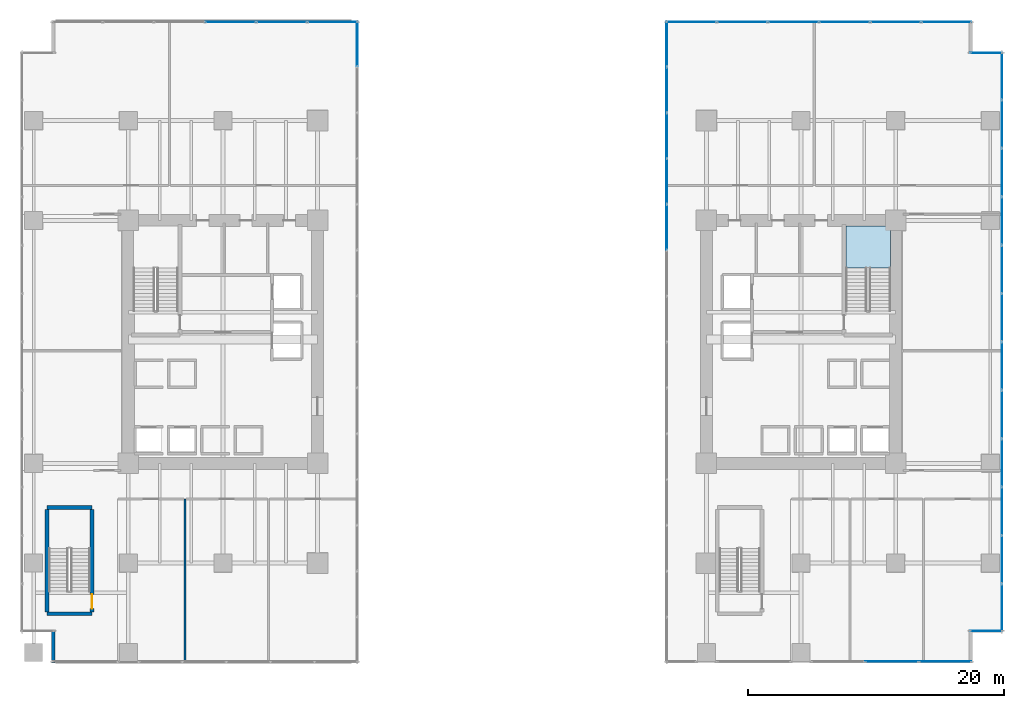
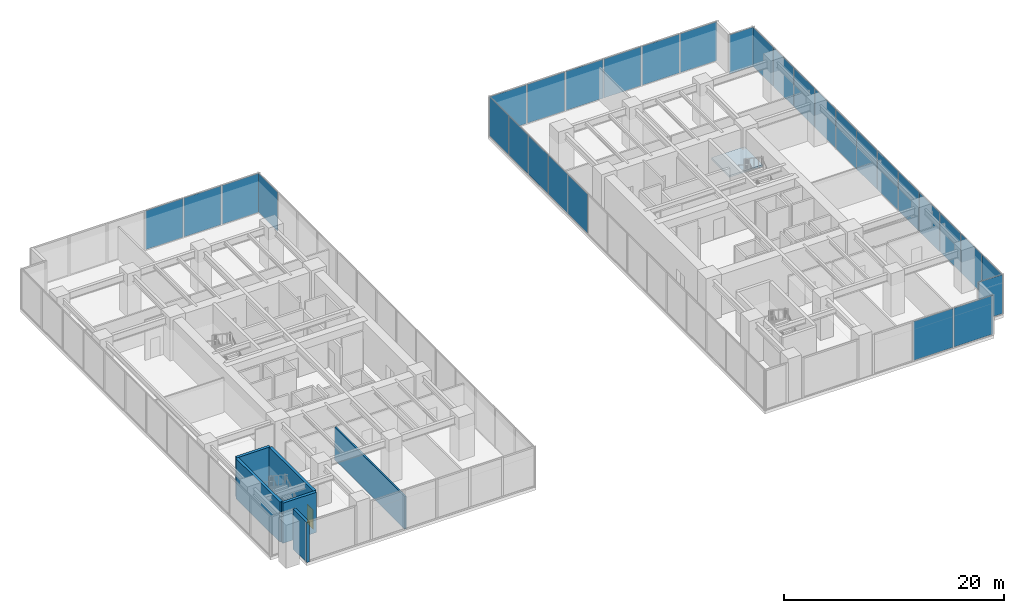
# One storey, part 24 of 33: 31 plates, 6 walls, 1 door, 1 slab, 1 opening, 9 elements without a shape of their own.
"""IFC4 building model written with IfcOpenShell, lengths in metres."""

from ifc_helpers import new_model, si_unit, direction, frame, frame_2d, origin, origin_2d, place, context, subcontext, project, spatial, polyline, rectangle, outline, extrude, source, transform, mapped, material, layer, layer_set, type_object, type_shapes, element, fill, aggregate, save


model = new_model("IFC4")

# Units and contexts
model_context = context("Model", 3, precision=1e-05, world=origin(), true_north=direction((0.0, 1.0)))
body_context = subcontext(model_context, "Body", "Model", "MODEL_VIEW")
ifc_project = project(units=[si_unit("LENGTHUNIT", "METRE"), si_unit("AREAUNIT", "SQUARE_METRE"), si_unit("VOLUMEUNIT", "CUBIC_METRE"), si_unit("PLANEANGLEUNIT", "RADIAN"), si_unit("MASSUNIT", "GRAM", prefix="KILO")], contexts=[model_context])

# Site, building, storey
site_placement = place(None, origin())
site = spatial("IfcSite", under=ifc_project, at=site_placement, CompositionType="ELEMENT")
building_placement = place(site_placement, origin())
building = spatial("IfcBuilding", under=site, at=building_placement, Name="Haelvirn Gate Laboratories", CompositionType="ELEMENT")
storey_placement = place(building_placement, frame((0.0, 0.0, 10.199951171875)))
storey = spatial("IfcBuildingStorey", under=building, at=storey_placement, Name="L03", CompositionType="ELEMENT", Elevation=10.199951171875)

# Stair, slab
ifc_material_1 = material(Name="Concrete C40/50", Category="concrete")
stair_type = type_object("IfcStairType", Name="ST-DOG-1650-R26", PredefinedType="HALF_TURN_STAIR", material=ifc_material_1)
stair_placement = place(storey_placement, origin())
stair = element("IfcStair", 1, at=stair_placement, inside=storey, type_object=stair_type, Name="L03 Escape Stair ST2", PredefinedType="HALF_TURN_STAIR")
ifc_layer_1 = layer(ifc_material_1, 0.199951171875, Name="SL-STAIR-LND")
ifc_layer_set_1 = layer_set([ifc_layer_1], Name="Concrete C40/50")
slab_type = type_object("IfcSlabType", Name="SL-STAIR-LND", PredefinedType="LANDING", material=ifc_layer_set_1)
slab_placement = place(storey_placement, frame((0.0, 0.0, 2.199951171875)))
slab = element("IfcSlab", 2, at=slab_placement, type_object=slab_type, Name="ST2 landing 1", PredefinedType="LANDING", context=body_context, shape_type="SweptSolid", body=[
    extrude(outline(polyline([(67.0, 30.06005859375), (67.0, 33.35009765625), (63.5, 33.35009765625), (63.5, 30.06005859375), (67.0, 30.06005859375)])), origin(), (0.0, 0.0, 1.0), 0.2001953125),
])
aggregate(stair, [slab])

# Curtain wall, plate
ifc_material_2 = material(Name="Anodised bronze unitised aluminium & triple low-E glass", Category="aluminium")
ifc_layer_2 = layer(ifc_material_2, 0.18798828125, Name="CW-SYS-1")
ifc_layer_set_2 = layer_set([ifc_layer_2], Name="Anodised bronze unitised aluminium & triple low-E glass")
curtain_wall_type_1 = type_object("IfcCurtainWallType", Name="CW-SYS-1", PredefinedType="NOTDEFINED", material=ifc_layer_set_2)
curtain_wall_1_placement = place(storey_placement, origin())
curtain_wall_1 = element("IfcCurtainWall", 3, at=curtain_wall_1_placement, inside=storey, type_object=curtain_wall_type_1, Name="L03 Unitised Curtain Wall CW-L03-P0-E01", PredefinedType="NOTDEFINED")
ifc_material_3 = material(Name="Bronze solar-control triple low-E IGU 48 mm", Category="glass")
ifc_layer_3 = layer(ifc_material_3, 0.048095703125, Name="CWP-IGU-48")
ifc_layer_set_3 = layer_set([ifc_layer_3], Name="Bronze solar-control triple low-E IGU 48 mm")
plate_type_1 = type_object("IfcPlateType", Name="CWP-IGU-48", PredefinedType="CURTAIN_PANEL", material=ifc_layer_set_3)
shared_shape_1 = source(origin(), body_context, "Body", "SweptSolid", [
    extrude(rectangle(XDim=3.4658203125, YDim=0.048095703125, at=origin_2d()), origin(), (0.0, 0.0, 1.0), 4.31005859375),
])
plate_1_placement = place(storey_placement, frame((25.300048828125, 47.587158203125, 0.070068359375), z_axis=(0.0, 0.0, 1.0), x_axis=(0.0, 1.0, 0.0)))
plate_1 = element("IfcPlate", 4, at=plate_1_placement, type_object=plate_type_1, Name="CW1 panel 14.1", PredefinedType="CURTAIN_PANEL", context=body_context, shape_type="MappedRepresentation", body=[
    mapped(shared_shape_1, transform((0.0, 0.0, 0.0), scale=1.0)),
])
aggregate(curtain_wall_1, [plate_1])

# Curtain wall, plates
curtain_wall_2_placement = place(storey_placement, origin())
curtain_wall_2 = element("IfcCurtainWall", 5, at=curtain_wall_2_placement, inside=storey, type_object=curtain_wall_type_1, Name="L03 Unitised Curtain Wall CW-L03-P1-E07", PredefinedType="NOTDEFINED")
plate_2_placement = place(storey_placement, frame((49.5, 47.587158203125, 0.070068359375), z_axis=(0.0, 0.0, 1.0), x_axis=(0.0, -1.0, 0.0)))
plate_2 = element("IfcPlate", 6, at=plate_2_placement, type_object=plate_type_1, Name="CW1 panel 1.1", PredefinedType="CURTAIN_PANEL", context=body_context, shape_type="MappedRepresentation", body=[
    mapped(shared_shape_1, transform((0.0, 0.0, 0.0), scale=1.0)),
])
shared_shape_2 = source(origin(), body_context, "Body", "SweptSolid", [
    extrude(rectangle(XDim=3.505615234375, YDim=0.048095703125, at=origin_2d()), origin(), (0.0, 0.0, 1.0), 4.31005859375),
])
plate_3_placement = place(storey_placement, frame((49.5, 44.021484375, 0.070068359375), z_axis=(0.0, 0.0, 1.0), x_axis=(0.0, -1.0, 0.0)))
plate_3 = element("IfcPlate", 7, at=plate_3_placement, type_object=plate_type_1, Name="CW1 panel 2.1", PredefinedType="CURTAIN_PANEL", context=body_context, shape_type="MappedRepresentation", body=[
    mapped(shared_shape_2, transform((0.0, 0.0, 0.0), scale=1.0)),
])
plate_4_placement = place(storey_placement, frame((49.5, 40.435791015625, 0.070068359375), z_axis=(0.0, 0.0, 1.0), x_axis=(0.0, -1.0, 0.0)))
plate_4 = element("IfcPlate", 8, at=plate_4_placement, type_object=plate_type_1, Name="CW1 panel 3.1", PredefinedType="CURTAIN_PANEL", context=body_context, shape_type="MappedRepresentation", body=[
    mapped(shared_shape_2, transform((0.0, 0.0, 0.0), scale=1.0)),
])
plate_5_placement = place(storey_placement, frame((49.5, 36.85009765625, 0.070068359375), z_axis=(0.0, 0.0, 1.0), x_axis=(0.0, -1.0, 0.0)))
plate_5 = element("IfcPlate", 9, at=plate_5_placement, type_object=plate_type_1, Name="CW1 panel 4.1", PredefinedType="CURTAIN_PANEL", context=body_context, shape_type="MappedRepresentation", body=[
    mapped(shared_shape_2, transform((0.0, 0.0, 0.0), scale=1.0)),
])
plate_6_placement = place(storey_placement, frame((49.5, 33.264404296875, 0.070068359375), z_axis=(0.0, 0.0, 1.0), x_axis=(0.0, -1.0, 0.0)))
plate_6 = element("IfcPlate", 10, at=plate_6_placement, type_object=plate_type_1, Name="CW1 panel 5.1", PredefinedType="CURTAIN_PANEL", context=body_context, shape_type="MappedRepresentation", body=[
    mapped(shared_shape_2, transform((0.0, 0.0, 0.0), scale=1.0)),
])
aggregate(curtain_wall_2, [plate_2, plate_3, plate_4, plate_5, plate_6])

# Curtain wall, plate
curtain_wall_3_placement = place(storey_placement, origin())
curtain_wall_3 = element("IfcCurtainWall", 11, at=curtain_wall_3_placement, inside=storey, type_object=curtain_wall_type_1, Name="L03 Unitised Curtain Wall CW-L03-P0-E02-1", PredefinedType="NOTDEFINED")
shared_shape_3 = source(origin(), body_context, "Body", "SweptSolid", [
    extrude(rectangle(XDim=3.8798828125, YDim=0.048095703125, at=origin_2d()), origin(), (0.0, 0.0, 1.0), 4.31005859375),
])
plate_7_placement = place(storey_placement, frame((23.3798828125, 49.300048828125, 0.070068359375), z_axis=(0.0, 0.0, 1.0), x_axis=(1.0, 0.0, 0.0)))
plate_7 = element("IfcPlate", 12, at=plate_7_placement, type_object=plate_type_1, Name="CW1 panel 6.1", PredefinedType="CURTAIN_PANEL", context=body_context, shape_type="MappedRepresentation", body=[
    mapped(shared_shape_3, transform((0.0, 0.0, 0.0), scale=1.0)),
])

# Curtain wall, plates
curtain_wall_4_placement = place(storey_placement, origin())
curtain_wall_4 = element("IfcCurtainWall", 13, at=curtain_wall_4_placement, inside=storey, type_object=curtain_wall_type_1, Name="L03 Unitised Curtain Wall CW-L03-P1-E06-1", PredefinedType="NOTDEFINED")
plate_8_placement = place(storey_placement, frame((51.419921875, 49.300048828125, 0.070068359375), z_axis=(0.0, 0.0, 1.0), x_axis=(1.0, 0.0, 0.0)))
plate_8 = element("IfcPlate", 14, at=plate_8_placement, type_object=plate_type_1, Name="CW1 panel 1.1", PredefinedType="CURTAIN_PANEL", context=body_context, shape_type="MappedRepresentation", body=[
    mapped(shared_shape_3, transform((0.0, 0.0, 0.0), scale=1.0)),
])
plate_9_placement = place(storey_placement, frame((71.3798828125, 49.300048828125, 0.070068359375), z_axis=(0.0, 0.0, 1.0), x_axis=(1.0, 0.0, 0.0)))
plate_9 = element("IfcPlate", 15, at=plate_9_placement, type_object=plate_type_1, Name="CW1 panel 6.1", PredefinedType="CURTAIN_PANEL", context=body_context, shape_type="MappedRepresentation", body=[
    mapped(shared_shape_3, transform((0.0, 0.0, 0.0), scale=1.0)),
])

# Plate
shared_shape_4 = source(origin(), body_context, "Body", "SweptSolid", [
    extrude(rectangle(XDim=3.919921875, YDim=0.048095703125, at=origin_2d()), origin(), (0.0, 0.0, 1.0), 4.31005859375),
])
plate_10_placement = place(storey_placement, frame((15.39990234375, 49.300048828125, 0.070068359375), z_axis=(0.0, 0.0, 1.0), x_axis=(1.0, 0.0, 0.0)))
plate_10 = element("IfcPlate", 16, at=plate_10_placement, type_object=plate_type_1, Name="CW1 panel 4.1", PredefinedType="CURTAIN_PANEL", context=body_context, shape_type="MappedRepresentation", body=[
    mapped(shared_shape_4, transform((0.0, 0.0, 0.0), scale=1.0)),
])

plate_11_placement = place(storey_placement, frame((19.39990234375, 49.300048828125, 0.070068359375), z_axis=(0.0, 0.0, 1.0), x_axis=(1.0, 0.0, 0.0)))
plate_11 = element("IfcPlate", 17, at=plate_11_placement, type_object=plate_type_1, Name="CW1 panel 5.1", PredefinedType="CURTAIN_PANEL", context=body_context, shape_type="MappedRepresentation", body=[
    mapped(shared_shape_4, transform((0.0, 0.0, 0.0), scale=1.0)),
])

aggregate(curtain_wall_3, [plate_10, plate_11, plate_7])

plate_12_placement = place(storey_placement, frame((55.39990234375, 49.300048828125, 0.070068359375), z_axis=(0.0, 0.0, 1.0), x_axis=(1.0, 0.0, 0.0)))
plate_12 = element("IfcPlate", 18, at=plate_12_placement, type_object=plate_type_1, Name="CW1 panel 2.1", PredefinedType="CURTAIN_PANEL", context=body_context, shape_type="MappedRepresentation", body=[
    mapped(shared_shape_4, transform((0.0, 0.0, 0.0), scale=1.0)),
])

plate_13_placement = place(storey_placement, frame((59.39990234375, 49.300048828125, 0.070068359375), z_axis=(0.0, 0.0, 1.0), x_axis=(1.0, 0.0, 0.0)))
plate_13 = element("IfcPlate", 19, at=plate_13_placement, type_object=plate_type_1, Name="CW1 panel 3.1", PredefinedType="CURTAIN_PANEL", context=body_context, shape_type="MappedRepresentation", body=[
    mapped(shared_shape_4, transform((0.0, 0.0, 0.0), scale=1.0)),
])

plate_14_placement = place(storey_placement, frame((63.39990234375, 49.300048828125, 0.070068359375), z_axis=(0.0, 0.0, 1.0), x_axis=(1.0, 0.0, 0.0)))
plate_14 = element("IfcPlate", 20, at=plate_14_placement, type_object=plate_type_1, Name="CW1 panel 4.1", PredefinedType="CURTAIN_PANEL", context=body_context, shape_type="MappedRepresentation", body=[
    mapped(shared_shape_4, transform((0.0, 0.0, 0.0), scale=1.0)),
])

plate_15_placement = place(storey_placement, frame((67.39990234375, 49.300048828125, 0.070068359375), z_axis=(0.0, 0.0, 1.0), x_axis=(1.0, 0.0, 0.0)))
plate_15 = element("IfcPlate", 21, at=plate_15_placement, type_object=plate_type_1, Name="CW1 panel 5.1", PredefinedType="CURTAIN_PANEL", context=body_context, shape_type="MappedRepresentation", body=[
    mapped(shared_shape_4, transform((0.0, 0.0, 0.0), scale=1.0)),
])

aggregate(curtain_wall_4, [plate_8, plate_12, plate_13, plate_14, plate_15, plate_9])

# Curtain wall, plate
ifc_layer_4 = layer(ifc_material_2, 0.181884765625, Name="CW-SYS-5")
ifc_layer_set_4 = layer_set([ifc_layer_4], Name="Anodised bronze unitised aluminium & triple low-E glass")
curtain_wall_type_2 = type_object("IfcCurtainWallType", Name="CW-SYS-5", PredefinedType="NOTDEFINED", material=ifc_layer_set_4)
curtain_wall_5_placement = place(storey_placement, origin())
curtain_wall_5 = element("IfcCurtainWall", 22, at=curtain_wall_5_placement, inside=storey, type_object=curtain_wall_type_2, Name="L03 Unitised Curtain Wall CW-L03-P1-E02-1", PredefinedType="NOTDEFINED")
ifc_material_4 = material(Name="Clear low-iron notched-corner triple IGU 42 mm", Category="glass")
ifc_layer_5 = layer(ifc_material_4, 0.0419921875, Name="CWP-NTC-42")
ifc_layer_set_5 = layer_set([ifc_layer_5], Name="Clear low-iron notched-corner triple IGU 42 mm")
plate_type_2 = type_object("IfcPlateType", Name="CWP-NTC-42", PredefinedType="CURTAIN_PANEL", material=ifc_layer_set_5)
shared_shape_5 = source(origin(), body_context, "Body", "SweptSolid", [
    extrude(rectangle(XDim=2.47998046875, YDim=0.0419921875, at=origin_2d()), origin(), (0.0, 0.0, 1.0), 4.320068359375),
])
type_shapes(plate_type_2, [shared_shape_5])
plate_16_placement = place(storey_placement, frame((74.47998046875, 1.699951171875, 0.06494140625), z_axis=(0.0, 0.0, 1.0), x_axis=(1.0, 0.0, 0.0)))
plate_16 = element("IfcPlate", 23, at=plate_16_placement, type_object=plate_type_2, Name="CW5 panel 1.1", PredefinedType="CURTAIN_PANEL", context=body_context, shape_type="MappedRepresentation", body=[
    mapped(shared_shape_5, transform((0.0, 0.0, 0.0), scale=1.0)),
])
aggregate(curtain_wall_5, [plate_16])

curtain_wall_6_placement = place(storey_placement, origin())
curtain_wall_6 = element("IfcCurtainWall", 24, at=curtain_wall_6_placement, inside=storey, type_object=curtain_wall_type_2, Name="L03 Unitised Curtain Wall CW-L03-P1-E04-1", PredefinedType="NOTDEFINED")
plate_17_placement = place(storey_placement, frame((74.47998046875, 46.89990234375, 0.06494140625), z_axis=(0.0, 0.0, 1.0), x_axis=(1.0, 0.0, 0.0)))
plate_17 = element("IfcPlate", 25, at=plate_17_placement, type_object=plate_type_2, Name="CW5 panel 1.1", PredefinedType="CURTAIN_PANEL", context=body_context, shape_type="MappedRepresentation", body=[
    mapped(shared_shape_5, transform((0.0, 0.0, 0.0), scale=1.0)),
])
aggregate(curtain_wall_6, [plate_17])

# Curtain wall, plates
curtain_wall_7_placement = place(storey_placement, origin())
curtain_wall_7 = element("IfcCurtainWall", 26, at=curtain_wall_7_placement, inside=storey, type_object=curtain_wall_type_1, Name="L03 Unitised Curtain Wall CW-L03-P1-E03", PredefinedType="NOTDEFINED")
shared_shape_6 = source(origin(), body_context, "Body", "SweptSolid", [
    extrude(rectangle(XDim=3.663330078125, YDim=0.048095703125, at=origin_2d()), origin(), (0.0, 0.0, 1.0), 4.31005859375),
])
plate_18_placement = place(storey_placement, frame((75.699951171875, 3.51171875, 0.070068359375), z_axis=(0.0, 0.0, 1.0), x_axis=(0.0, 1.0, 0.0)))
plate_18 = element("IfcPlate", 27, at=plate_18_placement, type_object=plate_type_1, Name="CW1 panel 1.1", PredefinedType="CURTAIN_PANEL", context=body_context, shape_type="MappedRepresentation", body=[
    mapped(shared_shape_6, transform((0.0, 0.0, 0.0), scale=1.0)),
])
plate_19_placement = place(storey_placement, frame((75.699951171875, 45.08837890625, 0.070068359375), z_axis=(0.0, 0.0, 1.0), x_axis=(0.0, 1.0, 0.0)))
plate_19 = element("IfcPlate", 28, at=plate_19_placement, type_object=plate_type_1, Name="CW1 panel 12.1", PredefinedType="CURTAIN_PANEL", context=body_context, shape_type="MappedRepresentation", body=[
    mapped(shared_shape_6, transform((0.0, 0.0, 0.0), scale=1.0)),
])
shared_shape_7 = source(origin(), body_context, "Body", "SweptSolid", [
    extrude(rectangle(XDim=3.703369140625, YDim=0.048095703125, at=origin_2d()), origin(), (0.0, 0.0, 1.0), 4.31005859375),
])
plate_20_placement = place(storey_placement, frame((75.699951171875, 7.27490234375, 0.070068359375), z_axis=(0.0, 0.0, 1.0), x_axis=(0.0, 1.0, 0.0)))
plate_20 = element("IfcPlate", 29, at=plate_20_placement, type_object=plate_type_1, Name="CW1 panel 2.1", PredefinedType="CURTAIN_PANEL", context=body_context, shape_type="MappedRepresentation", body=[
    mapped(shared_shape_7, transform((0.0, 0.0, 0.0), scale=1.0)),
])
plate_21_placement = place(storey_placement, frame((75.699951171875, 11.058349609375, 0.070068359375), z_axis=(0.0, 0.0, 1.0), x_axis=(0.0, 1.0, 0.0)))
plate_21 = element("IfcPlate", 30, at=plate_21_placement, type_object=plate_type_1, Name="CW1 panel 3.1", PredefinedType="CURTAIN_PANEL", context=body_context, shape_type="MappedRepresentation", body=[
    mapped(shared_shape_7, transform((0.0, 0.0, 0.0), scale=1.0)),
])
plate_22_placement = place(storey_placement, frame((75.699951171875, 14.841552734375, 0.070068359375), z_axis=(0.0, 0.0, 1.0), x_axis=(0.0, 1.0, 0.0)))
plate_22 = element("IfcPlate", 31, at=plate_22_placement, type_object=plate_type_1, Name="CW1 panel 4.1", PredefinedType="CURTAIN_PANEL", context=body_context, shape_type="MappedRepresentation", body=[
    mapped(shared_shape_7, transform((0.0, 0.0, 0.0), scale=1.0)),
])
plate_23_placement = place(storey_placement, frame((75.699951171875, 18.625, 0.070068359375), z_axis=(0.0, 0.0, 1.0), x_axis=(0.0, 1.0, 0.0)))
plate_23 = element("IfcPlate", 32, at=plate_23_placement, type_object=plate_type_1, Name="CW1 panel 5.1", PredefinedType="CURTAIN_PANEL", context=body_context, shape_type="MappedRepresentation", body=[
    mapped(shared_shape_7, transform((0.0, 0.0, 0.0), scale=1.0)),
])
plate_24_placement = place(storey_placement, frame((75.699951171875, 22.408447265625, 0.070068359375), z_axis=(0.0, 0.0, 1.0), x_axis=(0.0, 1.0, 0.0)))
plate_24 = element("IfcPlate", 33, at=plate_24_placement, type_object=plate_type_1, Name="CW1 panel 6.1", PredefinedType="CURTAIN_PANEL", context=body_context, shape_type="MappedRepresentation", body=[
    mapped(shared_shape_7, transform((0.0, 0.0, 0.0), scale=1.0)),
])
plate_25_placement = place(storey_placement, frame((75.699951171875, 26.191650390625, 0.070068359375), z_axis=(0.0, 0.0, 1.0), x_axis=(0.0, 1.0, 0.0)))
plate_25 = element("IfcPlate", 34, at=plate_25_placement, type_object=plate_type_1, Name="CW1 panel 7.1", PredefinedType="CURTAIN_PANEL", context=body_context, shape_type="MappedRepresentation", body=[
    mapped(shared_shape_7, transform((0.0, 0.0, 0.0), scale=1.0)),
])
plate_26_placement = place(storey_placement, frame((75.699951171875, 29.97509765625, 0.070068359375), z_axis=(0.0, 0.0, 1.0), x_axis=(0.0, 1.0, 0.0)))
plate_26 = element("IfcPlate", 35, at=plate_26_placement, type_object=plate_type_1, Name="CW1 panel 8.1", PredefinedType="CURTAIN_PANEL", context=body_context, shape_type="MappedRepresentation", body=[
    mapped(shared_shape_7, transform((0.0, 0.0, 0.0), scale=1.0)),
])
plate_27_placement = place(storey_placement, frame((75.699951171875, 33.75830078125, 0.070068359375), z_axis=(0.0, 0.0, 1.0), x_axis=(0.0, 1.0, 0.0)))
plate_27 = element("IfcPlate", 36, at=plate_27_placement, type_object=plate_type_1, Name="CW1 panel 9.1", PredefinedType="CURTAIN_PANEL", context=body_context, shape_type="MappedRepresentation", body=[
    mapped(shared_shape_7, transform((0.0, 0.0, 0.0), scale=1.0)),
])
plate_28_placement = place(storey_placement, frame((75.699951171875, 37.541748046875, 0.070068359375), z_axis=(0.0, 0.0, 1.0), x_axis=(0.0, 1.0, 0.0)))
plate_28 = element("IfcPlate", 37, at=plate_28_placement, type_object=plate_type_1, Name="CW1 panel 10.1", PredefinedType="CURTAIN_PANEL", context=body_context, shape_type="MappedRepresentation", body=[
    mapped(shared_shape_7, transform((0.0, 0.0, 0.0), scale=1.0)),
])
plate_29_placement = place(storey_placement, frame((75.699951171875, 41.324951171875, 0.070068359375), z_axis=(0.0, 0.0, 1.0), x_axis=(0.0, 1.0, 0.0)))
plate_29 = element("IfcPlate", 38, at=plate_29_placement, type_object=plate_type_1, Name="CW1 panel 11.1", PredefinedType="CURTAIN_PANEL", context=body_context, shape_type="MappedRepresentation", body=[
    mapped(shared_shape_7, transform((0.0, 0.0, 0.0), scale=1.0)),
])
aggregate(curtain_wall_7, [plate_18, plate_20, plate_21, plate_22, plate_23, plate_24, plate_25, plate_26, plate_27, plate_28, plate_29, plate_19])

curtain_wall_8_placement = place(storey_placement, origin())
curtain_wall_8 = element("IfcCurtainWall", 39, at=curtain_wall_8_placement, inside=storey, type_object=curtain_wall_type_1, Name="L03 Unitised Curtain Wall CW-L03-P1-E00-1-S3", PredefinedType="NOTDEFINED")
shared_shape_8 = source(origin(), body_context, "Body", "SweptSolid", [
    extrude(rectangle(XDim=4.086669921875, YDim=0.048095703125, at=origin_2d()), origin(), (0.0, 0.0, 1.0), 4.31005859375),
])
plate_30_placement = place(storey_placement, frame((71.276611328125, -0.699951171875, 0.070068359375), z_axis=(0.0, 0.0, 1.0), x_axis=(1.0, 0.0, 0.0)))
plate_30 = element("IfcPlate", 40, at=plate_30_placement, type_object=plate_type_1, Name="CW1 panel 3.1", PredefinedType="CURTAIN_PANEL", context=body_context, shape_type="MappedRepresentation", body=[
    mapped(shared_shape_8, transform((0.0, 0.0, 0.0), scale=1.0)),
])
shared_shape_9 = source(origin(), body_context, "Body", "SweptSolid", [
    extrude(rectangle(XDim=4.126708984375, YDim=0.048095703125, at=origin_2d()), origin(), (0.0, 0.0, 1.0), 4.31005859375),
])
type_shapes(plate_type_1, [shared_shape_1, shared_shape_2, shared_shape_3, shared_shape_4, shared_shape_6, shared_shape_7, shared_shape_8, shared_shape_9])
plate_31_placement = place(storey_placement, frame((67.090087890625, -0.699951171875, 0.070068359375), z_axis=(0.0, 0.0, 1.0), x_axis=(1.0, 0.0, 0.0)))
plate_31 = element("IfcPlate", 41, at=plate_31_placement, type_object=plate_type_1, Name="CW1 panel 2.1", PredefinedType="CURTAIN_PANEL", context=body_context, shape_type="MappedRepresentation", body=[
    mapped(shared_shape_9, transform((0.0, 0.0, 0.0), scale=1.0)),
])
aggregate(curtain_wall_8, [plate_31, plate_30])

# Walls
ifc_material_5 = material(Name="Thermally-broken bronze aluminium rainscreen & mineral wool", Category="aluminium")
ifc_layer_6 = layer(ifc_material_5, 0.280029296875, Name="EW-TERR-280")
ifc_layer_set_6 = layer_set([ifc_layer_6], Name="Thermally-broken bronze aluminium rainscreen & mineral wool")
wall_type_1 = type_object("IfcWallType", Name="EW-TERR-280", PredefinedType="STANDARD", material=ifc_layer_set_6)
wall_1_placement = place(storey_placement, frame((1.5400390625, 1.68798828125, 0.0), z_axis=(0.0, 0.0, 1.0), x_axis=(0.0, -1.0, 0.0)))
element("IfcWall", 42, at=wall_1_placement, inside=storey, type_object=wall_type_1, Name="L03 Atrium Recess Bronze Return Wall 07", PredefinedType="STANDARD", context=body_context, shape_type="SweptSolid", body=[
    extrude(rectangle(XDim=2.488037109375, YDim=0.280029296875, at=frame_2d((1.244140625, 0.0))), origin(), (0.0, 0.0, 1.0), 4.449951171875),
])
ifc_material_6 = material(Name="Moisture-resistant gypsum laboratory partition", Category="gypsum")
ifc_layer_7 = layer(ifc_material_6, 0.1650390625, Name="IW-PART-160")
ifc_layer_set_7 = layer_set([ifc_layer_7], Name="Moisture-resistant gypsum laboratory partition")
wall_type_2 = type_object("IfcWallType", Name="IW-PART-160", PredefinedType="PARTITIONING", material=ifc_layer_set_7)
wall_2_placement = place(storey_placement, frame((11.822021484375, -0.68994140625, 0.0), z_axis=(0.0, 0.0, 1.0), x_axis=(0.0, 1.0, 0.0)))
element("IfcWall", 43, at=wall_2_placement, inside=storey, type_object=wall_type_2, Name="L03 Interior Wall IW-L03-PODSDIV-W-1", PredefinedType="PARTITIONING", context=body_context, shape_type="SweptSolid", body=[
    extrude(rectangle(XDim=12.7099609375, YDim=0.1650390625, at=frame_2d((6.35498046875, 0.0))), origin(), (0.0, 0.0, 1.0), 3.635009765625),
])
ifc_material_7 = material(Name="Concrete C50/60", Category="concrete")
ifc_layer_8 = layer(ifc_material_7, 0.300048828125, Name="SW-STAIR-300")
ifc_layer_set_8 = layer_set([ifc_layer_8], Name="Concrete C50/60")
wall_type_3 = type_object("IfcWallType", Name="SW-STAIR-300", PredefinedType="SHEAR", material=ifc_layer_set_8)
for number, where, z_axis, x_axis, name in (
    (44, (1.050048828125, 3.050048828125, 0.0), (0.0, 0.0, 1.0), (1.0, 0.0, 0.0), "L03 Podium Stair ST3 Structural Wall S"),
    (45, (1.050048828125, 11.35009765625, 0.0), (0.0, 0.0, 1.0), (1.0, 0.0, 0.0), "L03 Podium Stair ST3 Structural Wall N"),
):
    element("IfcWall", number, at=place(storey_placement, frame(where, z_axis=z_axis, x_axis=x_axis)), inside=storey, type_object=wall_type_3, Name=name, PredefinedType="SHEAR", context=body_context, shape_type="SweptSolid", body=[
        extrude(rectangle(XDim=3.5, YDim=0.300048828125, at=frame_2d((1.75, 0.0))), origin(), (0.0, 0.0, 1.0), 4.449951171875),
    ])
wall_3_placement = place(storey_placement, frame((1.050048828125, 3.199951171875, 0.0), z_axis=(0.0, 0.0, 1.0), x_axis=(0.0, 1.0, 0.0)))
element("IfcWall", 46, at=wall_3_placement, inside=storey, type_object=wall_type_3, Name="L03 Podium Stair ST3 Structural Wall W", PredefinedType="SHEAR", context=body_context, shape_type="SweptSolid", body=[
    extrude(rectangle(XDim=8.0, YDim=0.300048828125, at=frame_2d((4.0, 0.0))), origin(), (0.0, 0.0, 1.0), 4.449951171875),
])

# Wall, opening, door
wall_4_placement = place(storey_placement, frame((4.550048828125, 3.199951171875, 0.0), z_axis=(0.0, 0.0, 1.0), x_axis=(0.0, 1.0, 0.0)))
wall_4 = element("IfcWall", 47, at=wall_4_placement, inside=storey, type_object=wall_type_3, Name="L03 Podium Stair ST3 Structural Wall E", PredefinedType="SHEAR", context=body_context, shape_type="SweptSolid", body=[
    extrude(rectangle(XDim=8.0, YDim=0.300048828125, at=frame_2d((4.0, 0.0))), origin(), (0.0, 0.0, 1.0), 4.449951171875),
])
opening_placement = place(wall_4_placement, frame((0.25, 0.0, 0.0)))
opening = element("IfcOpeningElement", 48, at=opening_placement, cuts=wall_4, Name="Opening FD3", PredefinedType="OPENING", context=body_context, shape_type="SweptSolid", body=[
    extrude(rectangle(XDim=1.10009765625, YDim=2.14990234375, at=frame_2d((0.550048828125, 1.074951171875))), frame((0.0, 0.16015625, 0.0), z_axis=(0.0, -1.0, 0.0), x_axis=(1.0, 0.0, 0.0)), (0.0, 0.0, 1.0), 0.320068359375),
])
ifc_material_8 = material(Name="Fire-rated steel SM355 escape stair door", Category="steel")
door_type = type_object("IfcDoorType", Name="DR-FD-1100", OperationType="NOTDEFINED", PredefinedType="DOOR", material=ifc_material_8)
shared_shape_10 = source(origin(), body_context, "Body", "SweptSolid", [
    extrude(rectangle(XDim=1.10009765625, YDim=2.14990234375, at=frame_2d((0.550048828125, 1.074951171875))), frame((0.0, 0.02490234375, 0.0), z_axis=(0.0, -1.0, 0.0), x_axis=(1.0, 0.0, 0.0)), (0.0, 0.0, 1.0), 0.050048828125),
])
type_shapes(door_type, [shared_shape_10])
door_placement = place(opening_placement, origin())
door = element("IfcDoor", 49, at=door_placement, inside=storey, type_object=door_type, Name="L03 Escape Stair ST3 Fire Door", OperationType="SINGLE_SWING_RIGHT", OverallHeight=2.14990234375, OverallWidth=1.10009765625, PredefinedType="DOOR", context=body_context, shape_type="MappedRepresentation", body=[
    mapped(shared_shape_10, transform((0.0, 0.0, 0.0), scale=1.0)),
])
fill(opening, door)

save(model, "model.ifc")
